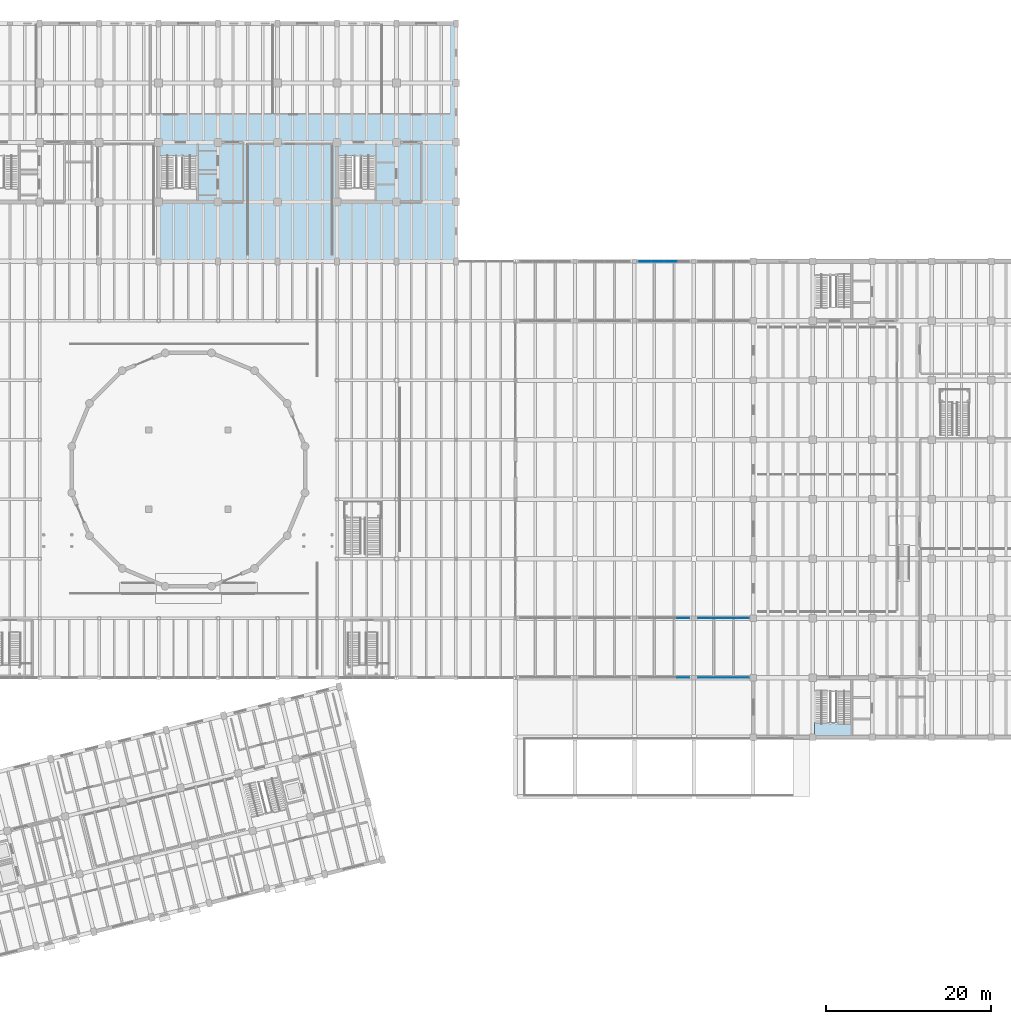
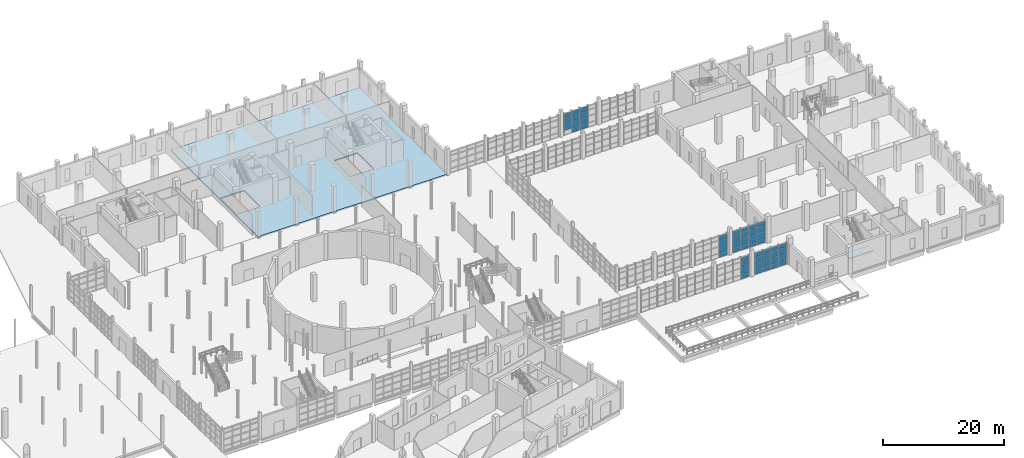
# One storey, part 58 of 79: 51 plates, 2 slabs, 6 elements without a shape of their own.
"""IFC4 building model written with IfcOpenShell, lengths in metres."""

from ifc_helpers import new_model, si_unit, direction, frame, frame_2d, origin, place, context, subcontext, project, spatial, polyline, rectangle, outline, extrude, material, layer, layer_set, type_object, element, aggregate, save


model = new_model("IFC4")

# Units and contexts
model_context = context("Model", 3, precision=1e-05, world=origin(), true_north=direction((0.0, 1.0)))
body_context = subcontext(model_context, "Body", "Model", "MODEL_VIEW")
ifc_project = project(units=[si_unit("LENGTHUNIT", "METRE"), si_unit("AREAUNIT", "SQUARE_METRE"), si_unit("VOLUMEUNIT", "CUBIC_METRE"), si_unit("PLANEANGLEUNIT", "RADIAN"), si_unit("MASSUNIT", "GRAM", prefix="KILO")], contexts=[model_context])

# Site, building, storey
site_placement = place(None, origin())
site = spatial("IfcSite", under=ifc_project, at=site_placement, CompositionType="ELEMENT")
building_placement = place(site_placement, origin())
building = spatial("IfcBuilding", under=site, at=building_placement, Name="Qiaolan Assembly House", CompositionType="ELEMENT")
storey_placement = place(building_placement, origin())
storey = spatial("IfcBuildingStorey", under=building, at=storey_placement, Name="L00", CompositionType="ELEMENT", Elevation=0.0)

# Curtain wall, plates
ifc_material_1 = material(Name="Anodised bronze aluminium", Category="aluminium")
curtain_wall_type = type_object("IfcCurtainWallType", Name="CW-CLOISTER-420", PredefinedType="NOTDEFINED", material=ifc_material_1)
curtain_wall_1_placement = place(storey_placement, origin())
curtain_wall_1 = element("IfcCurtainWall", 1, at=curtain_wall_1_placement, inside=storey, type_object=curtain_wall_type, Name="CW-05 South Cloister outer arcade L00-3", PredefinedType="NOTDEFINED")
ifc_material_2 = material(Name="Low-E double insulating glass", Category="glass")
ifc_layer_1 = layer(ifc_material_2, 0.02587890625)
ifc_layer_set_1 = layer_set([ifc_layer_1], Name="Low-E double insulating glass")
plate_type = type_object("IfcPlateType", Name="CW-CLOISTER-420-PNL", PredefinedType="CURTAIN_PANEL", material=ifc_layer_set_1)
plate_1_placement = place(storey_placement, frame((127.56689453125, 36.0, 0.052978515625), z_axis=(0.0, 0.0, 1.0), x_axis=(1.0, 0.0, 0.0)))
plate_1 = element("IfcPlate", 2, at=plate_1_placement, type_object=plate_type, Name="GL-06 glazing panel CW-CLS-OUT-L00-2-13", PredefinedType="CURTAIN_PANEL", context=body_context, shape_type="SweptSolid", body=[
    extrude(rectangle(XDim=1.486083984375, YDim=0.02587890625, at=frame_2d((0.7431640625, 0.0))), origin(), (0.0, 0.0, 1.0), 0.8740234375),
])
plate_2_placement = place(storey_placement, frame((127.56689453125, 36.0, 0.972900390625), z_axis=(0.0, 0.0, 1.0), x_axis=(1.0, 0.0, 0.0)))
plate_2 = element("IfcPlate", 3, at=plate_2_placement, type_object=plate_type, Name="GL-06 glazing panel CW-CLS-OUT-L00-2-14", PredefinedType="CURTAIN_PANEL", context=body_context, shape_type="SweptSolid", body=[
    extrude(rectangle(XDim=1.486083984375, YDim=0.02587890625, at=frame_2d((0.7431640625, 0.0))), origin(), (0.0, 0.0, 1.0), 1.302490234375),
])
plate_3_placement = place(storey_placement, frame((127.56689453125, 36.0, 2.3212890625), z_axis=(0.0, 0.0, 1.0), x_axis=(1.0, 0.0, 0.0)))
plate_3 = element("IfcPlate", 4, at=plate_3_placement, type_object=plate_type, Name="GL-06 glazing panel CW-CLS-OUT-L00-2-15", PredefinedType="CURTAIN_PANEL", context=body_context, shape_type="SweptSolid", body=[
    extrude(rectangle(XDim=1.486083984375, YDim=0.02587890625, at=frame_2d((0.7431640625, 0.0))), origin(), (0.0, 0.0, 1.0), 1.225830078125),
])
plate_4_placement = place(storey_placement, frame((127.56689453125, 36.0, 3.593017578125), z_axis=(0.0, 0.0, 1.0), x_axis=(1.0, 0.0, 0.0)))
plate_4 = element("IfcPlate", 5, at=plate_4_placement, type_object=plate_type, Name="GL-06 glazing panel CW-CLS-OUT-L00-2-16", PredefinedType="CURTAIN_PANEL", context=body_context, shape_type="SweptSolid", body=[
    extrude(rectangle(XDim=1.486083984375, YDim=0.02587890625, at=frame_2d((0.7431640625, 0.0))), origin(), (0.0, 0.0, 1.0), 0.77392578125),
])
aggregate(curtain_wall_1, [plate_1, plate_2, plate_3, plate_4])

curtain_wall_2_placement = place(storey_placement, origin())
curtain_wall_2 = element("IfcCurtainWall", 6, at=curtain_wall_2_placement, inside=storey, type_object=curtain_wall_type, Name="CW-05 South Cloister court arcade L00-3", PredefinedType="NOTDEFINED")
plate_5_placement = place(storey_placement, frame((129.052978515625, 43.199951171875, 0.052978515625), z_axis=(0.0, 0.0, 1.0), x_axis=(-1.0, 0.0, 0.0)))
plate_5 = element("IfcPlate", 7, at=plate_5_placement, type_object=plate_type, Name="GL-06 glazing panel CW-CLS-CRT-L00-2-1", PredefinedType="CURTAIN_PANEL", context=body_context, shape_type="SweptSolid", body=[
    extrude(rectangle(XDim=1.486083984375, YDim=0.02587890625, at=frame_2d((0.7431640625, 0.0))), origin(), (0.0, 0.0, 1.0), 0.8740234375),
])
plate_6_placement = place(storey_placement, frame((129.052978515625, 43.199951171875, 0.972900390625), z_axis=(0.0, 0.0, 1.0), x_axis=(-1.0, 0.0, 0.0)))
plate_6 = element("IfcPlate", 8, at=plate_6_placement, type_object=plate_type, Name="GL-06 glazing panel CW-CLS-CRT-L00-2-2", PredefinedType="CURTAIN_PANEL", context=body_context, shape_type="SweptSolid", body=[
    extrude(rectangle(XDim=1.486083984375, YDim=0.02587890625, at=frame_2d((0.7431640625, 0.0))), origin(), (0.0, 0.0, 1.0), 1.302490234375),
])
plate_7_placement = place(storey_placement, frame((129.052978515625, 43.199951171875, 2.3212890625), z_axis=(0.0, 0.0, 1.0), x_axis=(-1.0, 0.0, 0.0)))
plate_7 = element("IfcPlate", 9, at=plate_7_placement, type_object=plate_type, Name="GL-06 glazing panel CW-CLS-CRT-L00-2-3", PredefinedType="CURTAIN_PANEL", context=body_context, shape_type="SweptSolid", body=[
    extrude(rectangle(XDim=1.486083984375, YDim=0.02587890625, at=frame_2d((0.7431640625, 0.0))), origin(), (0.0, 0.0, 1.0), 1.225830078125),
])
plate_8_placement = place(storey_placement, frame((129.052978515625, 43.199951171875, 3.593017578125), z_axis=(0.0, 0.0, 1.0), x_axis=(-1.0, 0.0, 0.0)))
plate_8 = element("IfcPlate", 10, at=plate_8_placement, type_object=plate_type, Name="GL-06 glazing panel CW-CLS-CRT-L00-2-4", PredefinedType="CURTAIN_PANEL", context=body_context, shape_type="SweptSolid", body=[
    extrude(rectangle(XDim=1.486083984375, YDim=0.02587890625, at=frame_2d((0.7431640625, 0.0))), origin(), (0.0, 0.0, 1.0), 0.77392578125),
])
aggregate(curtain_wall_2, [plate_5, plate_6, plate_7, plate_8])

curtain_wall_3_placement = place(storey_placement, origin())
curtain_wall_3 = element("IfcCurtainWall", 11, at=curtain_wall_3_placement, inside=storey, type_object=curtain_wall_type, Name="CW-05 North Cloister outer arcade L00-3", PredefinedType="NOTDEFINED")
plate_9_placement = place(storey_placement, frame((127.512939453125, 86.39990234375, 0.052978515625), z_axis=(0.0, 0.0, 1.0), x_axis=(-1.0, 0.0, 0.0)))
plate_9 = element("IfcPlate", 12, at=plate_9_placement, type_object=plate_type, Name="GL-06 glazing panel CW-CLN-OUT-L00-2-5", PredefinedType="CURTAIN_PANEL", context=body_context, shape_type="SweptSolid", body=[
    extrude(rectangle(XDim=1.48583984375, YDim=0.02587890625, at=frame_2d((0.742919921875, 0.0))), origin(), (0.0, 0.0, 1.0), 0.8740234375),
])
plate_10_placement = place(storey_placement, frame((127.512939453125, 86.39990234375, 0.972900390625), z_axis=(0.0, 0.0, 1.0), x_axis=(-1.0, 0.0, 0.0)))
plate_10 = element("IfcPlate", 13, at=plate_10_placement, type_object=plate_type, Name="GL-06 glazing panel CW-CLN-OUT-L00-2-6", PredefinedType="CURTAIN_PANEL", context=body_context, shape_type="SweptSolid", body=[
    extrude(rectangle(XDim=1.48583984375, YDim=0.02587890625, at=frame_2d((0.742919921875, 0.0))), origin(), (0.0, 0.0, 1.0), 1.302490234375),
])
plate_11_placement = place(storey_placement, frame((127.512939453125, 86.39990234375, 2.3212890625), z_axis=(0.0, 0.0, 1.0), x_axis=(-1.0, 0.0, 0.0)))
plate_11 = element("IfcPlate", 14, at=plate_11_placement, type_object=plate_type, Name="GL-06 glazing panel CW-CLN-OUT-L00-2-7", PredefinedType="CURTAIN_PANEL", context=body_context, shape_type="SweptSolid", body=[
    extrude(rectangle(XDim=1.48583984375, YDim=0.02587890625, at=frame_2d((0.742919921875, 0.0))), origin(), (0.0, 0.0, 1.0), 1.225830078125),
])
plate_12_placement = place(storey_placement, frame((127.512939453125, 86.39990234375, 3.593017578125), z_axis=(0.0, 0.0, 1.0), x_axis=(-1.0, 0.0, 0.0)))
plate_12 = element("IfcPlate", 15, at=plate_12_placement, type_object=plate_type, Name="GL-06 glazing panel CW-CLN-OUT-L00-2-8", PredefinedType="CURTAIN_PANEL", context=body_context, shape_type="SweptSolid", body=[
    extrude(rectangle(XDim=1.48583984375, YDim=0.02587890625, at=frame_2d((0.742919921875, 0.0))), origin(), (0.0, 0.0, 1.0), 0.77392578125),
])
plate_13_placement = place(storey_placement, frame((125.972900390625, 86.39990234375, 0.052978515625), z_axis=(0.0, 0.0, 1.0), x_axis=(-1.0, 0.0, 0.0)))
plate_13 = element("IfcPlate", 16, at=plate_13_placement, type_object=plate_type, Name="GL-06 glazing panel CW-CLN-OUT-L00-2-9", PredefinedType="CURTAIN_PANEL", context=body_context, shape_type="SweptSolid", body=[
    extrude(rectangle(XDim=1.48583984375, YDim=0.02587890625, at=frame_2d((0.742919921875, 0.0))), origin(), (0.0, 0.0, 1.0), 0.8740234375),
])
plate_14_placement = place(storey_placement, frame((125.972900390625, 86.39990234375, 0.972900390625), z_axis=(0.0, 0.0, 1.0), x_axis=(-1.0, 0.0, 0.0)))
plate_14 = element("IfcPlate", 17, at=plate_14_placement, type_object=plate_type, Name="GL-06 glazing panel CW-CLN-OUT-L00-2-10", PredefinedType="CURTAIN_PANEL", context=body_context, shape_type="SweptSolid", body=[
    extrude(rectangle(XDim=1.48583984375, YDim=0.02587890625, at=frame_2d((0.742919921875, 0.0))), origin(), (0.0, 0.0, 1.0), 1.302490234375),
])
plate_15_placement = place(storey_placement, frame((125.972900390625, 86.39990234375, 2.3212890625), z_axis=(0.0, 0.0, 1.0), x_axis=(-1.0, 0.0, 0.0)))
plate_15 = element("IfcPlate", 18, at=plate_15_placement, type_object=plate_type, Name="GL-06 glazing panel CW-CLN-OUT-L00-2-11", PredefinedType="CURTAIN_PANEL", context=body_context, shape_type="SweptSolid", body=[
    extrude(rectangle(XDim=1.48583984375, YDim=0.02587890625, at=frame_2d((0.742919921875, 0.0))), origin(), (0.0, 0.0, 1.0), 1.225830078125),
])
plate_16_placement = place(storey_placement, frame((125.972900390625, 86.39990234375, 3.593017578125), z_axis=(0.0, 0.0, 1.0), x_axis=(-1.0, 0.0, 0.0)))
plate_16 = element("IfcPlate", 19, at=plate_16_placement, type_object=plate_type, Name="GL-06 glazing panel CW-CLN-OUT-L00-2-12", PredefinedType="CURTAIN_PANEL", context=body_context, shape_type="SweptSolid", body=[
    extrude(rectangle(XDim=1.48583984375, YDim=0.02587890625, at=frame_2d((0.742919921875, 0.0))), origin(), (0.0, 0.0, 1.0), 0.77392578125),
])
plate_17_placement = place(storey_placement, frame((124.43310546875, 86.39990234375, 0.972900390625), z_axis=(0.0, 0.0, 1.0), x_axis=(-1.0, 0.0, 0.0)))
plate_17 = element("IfcPlate", 20, at=plate_17_placement, type_object=plate_type, Name="GL-06 glazing panel CW-CLN-OUT-L00-2-14", PredefinedType="CURTAIN_PANEL", context=body_context, shape_type="SweptSolid", body=[
    extrude(rectangle(XDim=1.486083984375, YDim=0.02587890625, at=frame_2d((0.7431640625, 0.0))), origin(), (0.0, 0.0, 1.0), 1.302490234375),
])
plate_18_placement = place(storey_placement, frame((124.43310546875, 86.39990234375, 2.3212890625), z_axis=(0.0, 0.0, 1.0), x_axis=(-1.0, 0.0, 0.0)))
plate_18 = element("IfcPlate", 21, at=plate_18_placement, type_object=plate_type, Name="GL-06 glazing panel CW-CLN-OUT-L00-2-15", PredefinedType="CURTAIN_PANEL", context=body_context, shape_type="SweptSolid", body=[
    extrude(rectangle(XDim=1.486083984375, YDim=0.02587890625, at=frame_2d((0.7431640625, 0.0))), origin(), (0.0, 0.0, 1.0), 1.225830078125),
])
plate_19_placement = place(storey_placement, frame((124.43310546875, 86.39990234375, 3.593017578125), z_axis=(0.0, 0.0, 1.0), x_axis=(-1.0, 0.0, 0.0)))
plate_19 = element("IfcPlate", 22, at=plate_19_placement, type_object=plate_type, Name="GL-06 glazing panel CW-CLN-OUT-L00-2-16", PredefinedType="CURTAIN_PANEL", context=body_context, shape_type="SweptSolid", body=[
    extrude(rectangle(XDim=1.486083984375, YDim=0.02587890625, at=frame_2d((0.7431640625, 0.0))), origin(), (0.0, 0.0, 1.0), 0.77392578125),
])
aggregate(curtain_wall_3, [plate_9, plate_10, plate_11, plate_12, plate_13, plate_14, plate_15, plate_16, plate_17, plate_18, plate_19])

curtain_wall_4_placement = place(storey_placement, origin())
curtain_wall_4 = element("IfcCurtainWall", 23, at=curtain_wall_4_placement, inside=storey, type_object=curtain_wall_type, Name="CW-05 South Cloister outer arcade L00-4", PredefinedType="NOTDEFINED")
plate_20_placement = place(storey_placement, frame((130.14697265625, 36.0, 0.052978515625), z_axis=(0.0, 0.0, 1.0), x_axis=(1.0, 0.0, 0.0)))
plate_20 = element("IfcPlate", 24, at=plate_20_placement, type_object=plate_type, Name="GL-06 glazing panel CW-CLS-OUT-L00-3-1", PredefinedType="CURTAIN_PANEL", context=body_context, shape_type="SweptSolid", body=[
    extrude(rectangle(XDim=1.486083984375, YDim=0.02587890625, at=frame_2d((0.7431640625, 0.0))), origin(), (0.0, 0.0, 1.0), 0.8740234375),
])
plate_21_placement = place(storey_placement, frame((130.14697265625, 36.0, 0.972900390625), z_axis=(0.0, 0.0, 1.0), x_axis=(1.0, 0.0, 0.0)))
plate_21 = element("IfcPlate", 25, at=plate_21_placement, type_object=plate_type, Name="GL-06 glazing panel CW-CLS-OUT-L00-3-2", PredefinedType="CURTAIN_PANEL", context=body_context, shape_type="SweptSolid", body=[
    extrude(rectangle(XDim=1.486083984375, YDim=0.02587890625, at=frame_2d((0.7431640625, 0.0))), origin(), (0.0, 0.0, 1.0), 1.302490234375),
])
plate_22_placement = place(storey_placement, frame((130.14697265625, 36.0, 2.3212890625), z_axis=(0.0, 0.0, 1.0), x_axis=(1.0, 0.0, 0.0)))
plate_22 = element("IfcPlate", 26, at=plate_22_placement, type_object=plate_type, Name="GL-06 glazing panel CW-CLS-OUT-L00-3-3", PredefinedType="CURTAIN_PANEL", context=body_context, shape_type="SweptSolid", body=[
    extrude(rectangle(XDim=1.486083984375, YDim=0.02587890625, at=frame_2d((0.7431640625, 0.0))), origin(), (0.0, 0.0, 1.0), 1.225830078125),
])
plate_23_placement = place(storey_placement, frame((130.14697265625, 36.0, 3.593017578125), z_axis=(0.0, 0.0, 1.0), x_axis=(1.0, 0.0, 0.0)))
plate_23 = element("IfcPlate", 27, at=plate_23_placement, type_object=plate_type, Name="GL-06 glazing panel CW-CLS-OUT-L00-3-4", PredefinedType="CURTAIN_PANEL", context=body_context, shape_type="SweptSolid", body=[
    extrude(rectangle(XDim=1.486083984375, YDim=0.02587890625, at=frame_2d((0.7431640625, 0.0))), origin(), (0.0, 0.0, 1.0), 0.77392578125),
])
plate_24_placement = place(storey_placement, frame((131.68701171875, 36.0, 0.052978515625), z_axis=(0.0, 0.0, 1.0), x_axis=(1.0, 0.0, 0.0)))
plate_24 = element("IfcPlate", 28, at=plate_24_placement, type_object=plate_type, Name="GL-06 glazing panel CW-CLS-OUT-L00-3-5", PredefinedType="CURTAIN_PANEL", context=body_context, shape_type="SweptSolid", body=[
    extrude(rectangle(XDim=1.486083984375, YDim=0.02587890625, at=frame_2d((0.7431640625, 0.0))), origin(), (0.0, 0.0, 1.0), 0.8740234375),
])
plate_25_placement = place(storey_placement, frame((131.68701171875, 36.0, 0.972900390625), z_axis=(0.0, 0.0, 1.0), x_axis=(1.0, 0.0, 0.0)))
plate_25 = element("IfcPlate", 29, at=plate_25_placement, type_object=plate_type, Name="GL-06 glazing panel CW-CLS-OUT-L00-3-6", PredefinedType="CURTAIN_PANEL", context=body_context, shape_type="SweptSolid", body=[
    extrude(rectangle(XDim=1.486083984375, YDim=0.02587890625, at=frame_2d((0.7431640625, 0.0))), origin(), (0.0, 0.0, 1.0), 1.302490234375),
])
plate_26_placement = place(storey_placement, frame((131.68701171875, 36.0, 2.3212890625), z_axis=(0.0, 0.0, 1.0), x_axis=(1.0, 0.0, 0.0)))
plate_26 = element("IfcPlate", 30, at=plate_26_placement, type_object=plate_type, Name="GL-06 glazing panel CW-CLS-OUT-L00-3-7", PredefinedType="CURTAIN_PANEL", context=body_context, shape_type="SweptSolid", body=[
    extrude(rectangle(XDim=1.486083984375, YDim=0.02587890625, at=frame_2d((0.7431640625, 0.0))), origin(), (0.0, 0.0, 1.0), 1.225830078125),
])
plate_27_placement = place(storey_placement, frame((131.68701171875, 36.0, 3.593017578125), z_axis=(0.0, 0.0, 1.0), x_axis=(1.0, 0.0, 0.0)))
plate_27 = element("IfcPlate", 31, at=plate_27_placement, type_object=plate_type, Name="GL-06 glazing panel CW-CLS-OUT-L00-3-8", PredefinedType="CURTAIN_PANEL", context=body_context, shape_type="SweptSolid", body=[
    extrude(rectangle(XDim=1.486083984375, YDim=0.02587890625, at=frame_2d((0.7431640625, 0.0))), origin(), (0.0, 0.0, 1.0), 0.77392578125),
])
plate_28_placement = place(storey_placement, frame((133.22705078125, 36.0, 0.052978515625), z_axis=(0.0, 0.0, 1.0), x_axis=(1.0, 0.0, 0.0)))
plate_28 = element("IfcPlate", 32, at=plate_28_placement, type_object=plate_type, Name="GL-06 glazing panel CW-CLS-OUT-L00-3-9", PredefinedType="CURTAIN_PANEL", context=body_context, shape_type="SweptSolid", body=[
    extrude(rectangle(XDim=1.48583984375, YDim=0.02587890625, at=frame_2d((0.742919921875, 0.0))), origin(), (0.0, 0.0, 1.0), 0.8740234375),
])
plate_29_placement = place(storey_placement, frame((133.22705078125, 36.0, 0.972900390625), z_axis=(0.0, 0.0, 1.0), x_axis=(1.0, 0.0, 0.0)))
plate_29 = element("IfcPlate", 33, at=plate_29_placement, type_object=plate_type, Name="GL-06 glazing panel CW-CLS-OUT-L00-3-10", PredefinedType="CURTAIN_PANEL", context=body_context, shape_type="SweptSolid", body=[
    extrude(rectangle(XDim=1.48583984375, YDim=0.02587890625, at=frame_2d((0.742919921875, 0.0))), origin(), (0.0, 0.0, 1.0), 1.302490234375),
])
plate_30_placement = place(storey_placement, frame((133.22705078125, 36.0, 2.3212890625), z_axis=(0.0, 0.0, 1.0), x_axis=(1.0, 0.0, 0.0)))
plate_30 = element("IfcPlate", 34, at=plate_30_placement, type_object=plate_type, Name="GL-06 glazing panel CW-CLS-OUT-L00-3-11", PredefinedType="CURTAIN_PANEL", context=body_context, shape_type="SweptSolid", body=[
    extrude(rectangle(XDim=1.48583984375, YDim=0.02587890625, at=frame_2d((0.742919921875, 0.0))), origin(), (0.0, 0.0, 1.0), 1.225830078125),
])
plate_31_placement = place(storey_placement, frame((133.22705078125, 36.0, 3.593017578125), z_axis=(0.0, 0.0, 1.0), x_axis=(1.0, 0.0, 0.0)))
plate_31 = element("IfcPlate", 35, at=plate_31_placement, type_object=plate_type, Name="GL-06 glazing panel CW-CLS-OUT-L00-3-12", PredefinedType="CURTAIN_PANEL", context=body_context, shape_type="SweptSolid", body=[
    extrude(rectangle(XDim=1.48583984375, YDim=0.02587890625, at=frame_2d((0.742919921875, 0.0))), origin(), (0.0, 0.0, 1.0), 0.77392578125),
])
plate_32_placement = place(storey_placement, frame((134.76708984375, 36.0, 0.052978515625), z_axis=(0.0, 0.0, 1.0), x_axis=(1.0, 0.0, 0.0)))
plate_32 = element("IfcPlate", 36, at=plate_32_placement, type_object=plate_type, Name="GL-06 glazing panel CW-CLS-OUT-L00-3-13", PredefinedType="CURTAIN_PANEL", context=body_context, shape_type="SweptSolid", body=[
    extrude(rectangle(XDim=1.48583984375, YDim=0.02587890625, at=frame_2d((0.742919921875, 0.0))), origin(), (0.0, 0.0, 1.0), 0.8740234375),
])
plate_33_placement = place(storey_placement, frame((134.76708984375, 36.0, 0.972900390625), z_axis=(0.0, 0.0, 1.0), x_axis=(1.0, 0.0, 0.0)))
plate_33 = element("IfcPlate", 37, at=plate_33_placement, type_object=plate_type, Name="GL-06 glazing panel CW-CLS-OUT-L00-3-14", PredefinedType="CURTAIN_PANEL", context=body_context, shape_type="SweptSolid", body=[
    extrude(rectangle(XDim=1.48583984375, YDim=0.02587890625, at=frame_2d((0.742919921875, 0.0))), origin(), (0.0, 0.0, 1.0), 1.302490234375),
])
plate_34_placement = place(storey_placement, frame((134.76708984375, 36.0, 2.3212890625), z_axis=(0.0, 0.0, 1.0), x_axis=(1.0, 0.0, 0.0)))
plate_34 = element("IfcPlate", 38, at=plate_34_placement, type_object=plate_type, Name="GL-06 glazing panel CW-CLS-OUT-L00-3-15", PredefinedType="CURTAIN_PANEL", context=body_context, shape_type="SweptSolid", body=[
    extrude(rectangle(XDim=1.48583984375, YDim=0.02587890625, at=frame_2d((0.742919921875, 0.0))), origin(), (0.0, 0.0, 1.0), 1.225830078125),
])
plate_35_placement = place(storey_placement, frame((134.76708984375, 36.0, 3.593017578125), z_axis=(0.0, 0.0, 1.0), x_axis=(1.0, 0.0, 0.0)))
plate_35 = element("IfcPlate", 39, at=plate_35_placement, type_object=plate_type, Name="GL-06 glazing panel CW-CLS-OUT-L00-3-16", PredefinedType="CURTAIN_PANEL", context=body_context, shape_type="SweptSolid", body=[
    extrude(rectangle(XDim=1.48583984375, YDim=0.02587890625, at=frame_2d((0.742919921875, 0.0))), origin(), (0.0, 0.0, 1.0), 0.77392578125),
])
aggregate(curtain_wall_4, [plate_20, plate_21, plate_22, plate_23, plate_24, plate_25, plate_26, plate_27, plate_28, plate_29, plate_30, plate_31, plate_32, plate_33, plate_34, plate_35])

curtain_wall_5_placement = place(storey_placement, origin())
curtain_wall_5 = element("IfcCurtainWall", 40, at=curtain_wall_5_placement, inside=storey, type_object=curtain_wall_type, Name="CW-05 South Cloister court arcade L00-4", PredefinedType="NOTDEFINED")
plate_36_placement = place(storey_placement, frame((136.2529296875, 43.199951171875, 0.052978515625), z_axis=(0.0, 0.0, 1.0), x_axis=(-1.0, 0.0, 0.0)))
plate_36 = element("IfcPlate", 41, at=plate_36_placement, type_object=plate_type, Name="GL-06 glazing panel CW-CLS-CRT-L00-3-1", PredefinedType="CURTAIN_PANEL", context=body_context, shape_type="SweptSolid", body=[
    extrude(rectangle(XDim=1.48583984375, YDim=0.02587890625, at=frame_2d((0.742919921875, 0.0))), origin(), (0.0, 0.0, 1.0), 0.8740234375),
])
plate_37_placement = place(storey_placement, frame((136.2529296875, 43.199951171875, 0.972900390625), z_axis=(0.0, 0.0, 1.0), x_axis=(-1.0, 0.0, 0.0)))
plate_37 = element("IfcPlate", 42, at=plate_37_placement, type_object=plate_type, Name="GL-06 glazing panel CW-CLS-CRT-L00-3-2", PredefinedType="CURTAIN_PANEL", context=body_context, shape_type="SweptSolid", body=[
    extrude(rectangle(XDim=1.48583984375, YDim=0.02587890625, at=frame_2d((0.742919921875, 0.0))), origin(), (0.0, 0.0, 1.0), 1.302490234375),
])
plate_38_placement = place(storey_placement, frame((136.2529296875, 43.199951171875, 2.3212890625), z_axis=(0.0, 0.0, 1.0), x_axis=(-1.0, 0.0, 0.0)))
plate_38 = element("IfcPlate", 43, at=plate_38_placement, type_object=plate_type, Name="GL-06 glazing panel CW-CLS-CRT-L00-3-3", PredefinedType="CURTAIN_PANEL", context=body_context, shape_type="SweptSolid", body=[
    extrude(rectangle(XDim=1.48583984375, YDim=0.02587890625, at=frame_2d((0.742919921875, 0.0))), origin(), (0.0, 0.0, 1.0), 1.225830078125),
])
plate_39_placement = place(storey_placement, frame((136.2529296875, 43.199951171875, 3.593017578125), z_axis=(0.0, 0.0, 1.0), x_axis=(-1.0, 0.0, 0.0)))
plate_39 = element("IfcPlate", 44, at=plate_39_placement, type_object=plate_type, Name="GL-06 glazing panel CW-CLS-CRT-L00-3-4", PredefinedType="CURTAIN_PANEL", context=body_context, shape_type="SweptSolid", body=[
    extrude(rectangle(XDim=1.48583984375, YDim=0.02587890625, at=frame_2d((0.742919921875, 0.0))), origin(), (0.0, 0.0, 1.0), 0.77392578125),
])
plate_40_placement = place(storey_placement, frame((134.712890625, 43.199951171875, 0.052978515625), z_axis=(0.0, 0.0, 1.0), x_axis=(-1.0, 0.0, 0.0)))
plate_40 = element("IfcPlate", 45, at=plate_40_placement, type_object=plate_type, Name="GL-06 glazing panel CW-CLS-CRT-L00-3-5", PredefinedType="CURTAIN_PANEL", context=body_context, shape_type="SweptSolid", body=[
    extrude(rectangle(XDim=1.48583984375, YDim=0.02587890625, at=frame_2d((0.742919921875, 0.0))), origin(), (0.0, 0.0, 1.0), 0.8740234375),
])
plate_41_placement = place(storey_placement, frame((134.712890625, 43.199951171875, 0.972900390625), z_axis=(0.0, 0.0, 1.0), x_axis=(-1.0, 0.0, 0.0)))
plate_41 = element("IfcPlate", 46, at=plate_41_placement, type_object=plate_type, Name="GL-06 glazing panel CW-CLS-CRT-L00-3-6", PredefinedType="CURTAIN_PANEL", context=body_context, shape_type="SweptSolid", body=[
    extrude(rectangle(XDim=1.48583984375, YDim=0.02587890625, at=frame_2d((0.742919921875, 0.0))), origin(), (0.0, 0.0, 1.0), 1.302490234375),
])
plate_42_placement = place(storey_placement, frame((134.712890625, 43.199951171875, 2.3212890625), z_axis=(0.0, 0.0, 1.0), x_axis=(-1.0, 0.0, 0.0)))
plate_42 = element("IfcPlate", 47, at=plate_42_placement, type_object=plate_type, Name="GL-06 glazing panel CW-CLS-CRT-L00-3-7", PredefinedType="CURTAIN_PANEL", context=body_context, shape_type="SweptSolid", body=[
    extrude(rectangle(XDim=1.48583984375, YDim=0.02587890625, at=frame_2d((0.742919921875, 0.0))), origin(), (0.0, 0.0, 1.0), 1.225830078125),
])
plate_43_placement = place(storey_placement, frame((134.712890625, 43.199951171875, 3.593017578125), z_axis=(0.0, 0.0, 1.0), x_axis=(-1.0, 0.0, 0.0)))
plate_43 = element("IfcPlate", 48, at=plate_43_placement, type_object=plate_type, Name="GL-06 glazing panel CW-CLS-CRT-L00-3-8", PredefinedType="CURTAIN_PANEL", context=body_context, shape_type="SweptSolid", body=[
    extrude(rectangle(XDim=1.48583984375, YDim=0.02587890625, at=frame_2d((0.742919921875, 0.0))), origin(), (0.0, 0.0, 1.0), 0.77392578125),
])
plate_44_placement = place(storey_placement, frame((133.173095703125, 43.199951171875, 0.052978515625), z_axis=(0.0, 0.0, 1.0), x_axis=(-1.0, 0.0, 0.0)))
plate_44 = element("IfcPlate", 49, at=plate_44_placement, type_object=plate_type, Name="GL-06 glazing panel CW-CLS-CRT-L00-3-9", PredefinedType="CURTAIN_PANEL", context=body_context, shape_type="SweptSolid", body=[
    extrude(rectangle(XDim=1.486083984375, YDim=0.02587890625, at=frame_2d((0.7431640625, 0.0))), origin(), (0.0, 0.0, 1.0), 0.8740234375),
])
plate_45_placement = place(storey_placement, frame((133.173095703125, 43.199951171875, 0.972900390625), z_axis=(0.0, 0.0, 1.0), x_axis=(-1.0, 0.0, 0.0)))
plate_45 = element("IfcPlate", 50, at=plate_45_placement, type_object=plate_type, Name="GL-06 glazing panel CW-CLS-CRT-L00-3-10", PredefinedType="CURTAIN_PANEL", context=body_context, shape_type="SweptSolid", body=[
    extrude(rectangle(XDim=1.486083984375, YDim=0.02587890625, at=frame_2d((0.7431640625, 0.0))), origin(), (0.0, 0.0, 1.0), 1.302490234375),
])
plate_46_placement = place(storey_placement, frame((133.173095703125, 43.199951171875, 2.3212890625), z_axis=(0.0, 0.0, 1.0), x_axis=(-1.0, 0.0, 0.0)))
plate_46 = element("IfcPlate", 51, at=plate_46_placement, type_object=plate_type, Name="GL-06 glazing panel CW-CLS-CRT-L00-3-11", PredefinedType="CURTAIN_PANEL", context=body_context, shape_type="SweptSolid", body=[
    extrude(rectangle(XDim=1.486083984375, YDim=0.02587890625, at=frame_2d((0.7431640625, 0.0))), origin(), (0.0, 0.0, 1.0), 1.225830078125),
])
plate_47_placement = place(storey_placement, frame((133.173095703125, 43.199951171875, 3.593017578125), z_axis=(0.0, 0.0, 1.0), x_axis=(-1.0, 0.0, 0.0)))
plate_47 = element("IfcPlate", 52, at=plate_47_placement, type_object=plate_type, Name="GL-06 glazing panel CW-CLS-CRT-L00-3-12", PredefinedType="CURTAIN_PANEL", context=body_context, shape_type="SweptSolid", body=[
    extrude(rectangle(XDim=1.486083984375, YDim=0.02587890625, at=frame_2d((0.7431640625, 0.0))), origin(), (0.0, 0.0, 1.0), 0.77392578125),
])
plate_48_placement = place(storey_placement, frame((131.633056640625, 43.199951171875, 0.052978515625), z_axis=(0.0, 0.0, 1.0), x_axis=(-1.0, 0.0, 0.0)))
plate_48 = element("IfcPlate", 53, at=plate_48_placement, type_object=plate_type, Name="GL-06 glazing panel CW-CLS-CRT-L00-3-13", PredefinedType="CURTAIN_PANEL", context=body_context, shape_type="SweptSolid", body=[
    extrude(rectangle(XDim=1.486083984375, YDim=0.02587890625, at=frame_2d((0.7431640625, 0.0))), origin(), (0.0, 0.0, 1.0), 0.8740234375),
])
plate_49_placement = place(storey_placement, frame((131.633056640625, 43.199951171875, 0.972900390625), z_axis=(0.0, 0.0, 1.0), x_axis=(-1.0, 0.0, 0.0)))
plate_49 = element("IfcPlate", 54, at=plate_49_placement, type_object=plate_type, Name="GL-06 glazing panel CW-CLS-CRT-L00-3-14", PredefinedType="CURTAIN_PANEL", context=body_context, shape_type="SweptSolid", body=[
    extrude(rectangle(XDim=1.486083984375, YDim=0.02587890625, at=frame_2d((0.7431640625, 0.0))), origin(), (0.0, 0.0, 1.0), 1.302490234375),
])
plate_50_placement = place(storey_placement, frame((131.633056640625, 43.199951171875, 2.3212890625), z_axis=(0.0, 0.0, 1.0), x_axis=(-1.0, 0.0, 0.0)))
plate_50 = element("IfcPlate", 55, at=plate_50_placement, type_object=plate_type, Name="GL-06 glazing panel CW-CLS-CRT-L00-3-15", PredefinedType="CURTAIN_PANEL", context=body_context, shape_type="SweptSolid", body=[
    extrude(rectangle(XDim=1.486083984375, YDim=0.02587890625, at=frame_2d((0.7431640625, 0.0))), origin(), (0.0, 0.0, 1.0), 1.225830078125),
])
plate_51_placement = place(storey_placement, frame((131.633056640625, 43.199951171875, 3.593017578125), z_axis=(0.0, 0.0, 1.0), x_axis=(-1.0, 0.0, 0.0)))
plate_51 = element("IfcPlate", 56, at=plate_51_placement, type_object=plate_type, Name="GL-06 glazing panel CW-CLS-CRT-L00-3-16", PredefinedType="CURTAIN_PANEL", context=body_context, shape_type="SweptSolid", body=[
    extrude(rectangle(XDim=1.486083984375, YDim=0.02587890625, at=frame_2d((0.7431640625, 0.0))), origin(), (0.0, 0.0, 1.0), 0.77392578125),
])
aggregate(curtain_wall_5, [plate_36, plate_37, plate_38, plate_39, plate_40, plate_41, plate_42, plate_43, plate_44, plate_45, plate_46, plate_47, plate_48, plate_49, plate_50, plate_51])

# Slab
ifc_material_3 = material(Name="Concrete C40/50", Category="concrete")
ifc_layer_2 = layer(ifc_material_3, 0.25)
ifc_layer_set_2 = layer_set([ifc_layer_2], Name="Concrete C40/50")
slab_type_1 = type_object("IfcSlabType", Name="SLB-COMM-250", PredefinedType="FLOOR", material=ifc_layer_set_2)
slab_1_placement = place(storey_placement, frame((0.0, 0.0, -0.25)))
element("IfcSlab", 57, at=slab_1_placement, inside=storey, type_object=slab_type_1, Name="FS-01 North-West Wing East Plate L00", PredefinedType="FLOOR", context=body_context, shape_type="SweptSolid", body=[
    extrude(outline(polyline([(64.800048828125, 86.39990234375), (100.800048828125, 86.39990234375), (100.800048828125, 115.199951171875), (64.800048828125, 115.199951171875), (64.800048828125, 86.39990234375)]), holes=[polyline([(65.0, 93.800048828125), (65.0, 99.14990234375), (69.47998046875, 99.14990234375), (69.47998046875, 93.800048828125), (65.0, 93.800048828125)]), polyline([(86.60009765625, 93.800048828125), (86.60009765625, 99.14990234375), (91.080078125, 99.14990234375), (91.080078125, 93.800048828125), (86.60009765625, 93.800048828125)])]), origin(), (0.0, 0.0, 1.0), 0.25),
])

# Stair, slab
stair_type = type_object("IfcStairType", Name="STR-PODIUM-540", PredefinedType="THREE_QUARTER_TURN_STAIR", material=ifc_material_3)
stair_placement = place(storey_placement, origin())
stair = element("IfcStair", 58, at=stair_placement, inside=storey, type_object=stair_type, Name="ST-01 enclosed egress stair CORE-E L00", PredefinedType="THREE_QUARTER_TURN_STAIR")
ifc_layer_3 = layer(ifc_material_3, 0.199951171875)
ifc_layer_set_3 = layer_set([ifc_layer_3], Name="Concrete C40/50")
slab_type_2 = type_object("IfcSlabType", Name="SLB-LANDING-200", PredefinedType="LANDING", material=ifc_layer_set_3)
slab_2_placement = place(storey_placement, frame((0.0, 0.0, 2.5)))
slab_2 = element("IfcSlab", 59, at=slab_2_placement, type_object=slab_type_2, Name="Stair landing LND-CORE-E-L00-HL", PredefinedType="LANDING", context=body_context, shape_type="SweptSolid", body=[
    extrude(outline(polyline([(144.179931640625, 28.97998046875), (144.179931640625, 30.590087890625), (148.719970703125, 30.590087890625), (148.719970703125, 28.97998046875), (144.179931640625, 28.97998046875)])), origin(), (0.0, 0.0, 1.0), 0.199951171875),
])
aggregate(stair, [slab_2])

save(model, "model.ifc")
